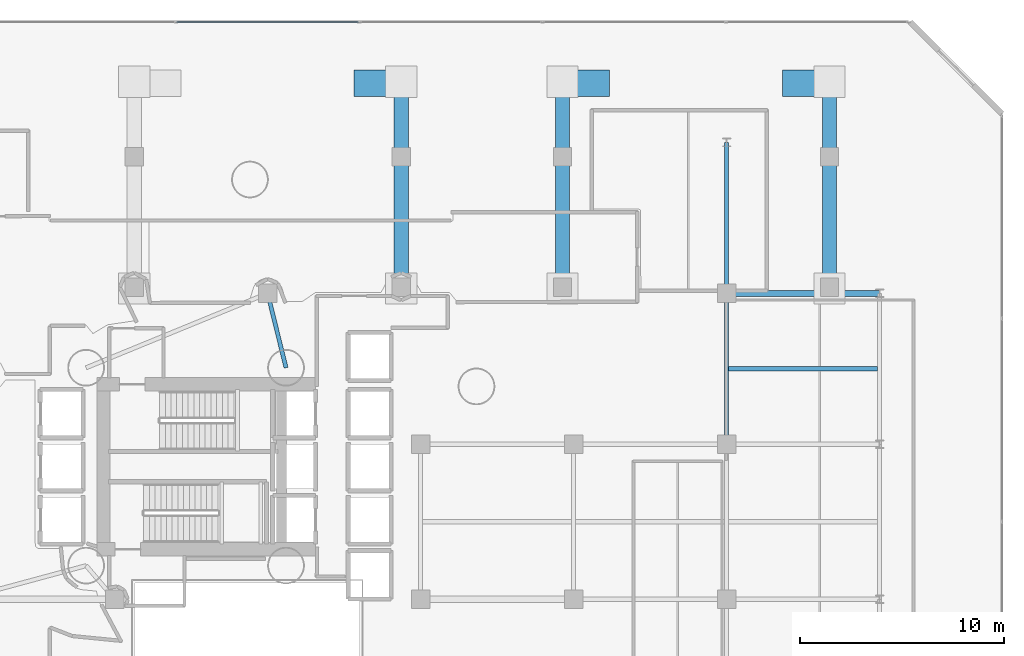
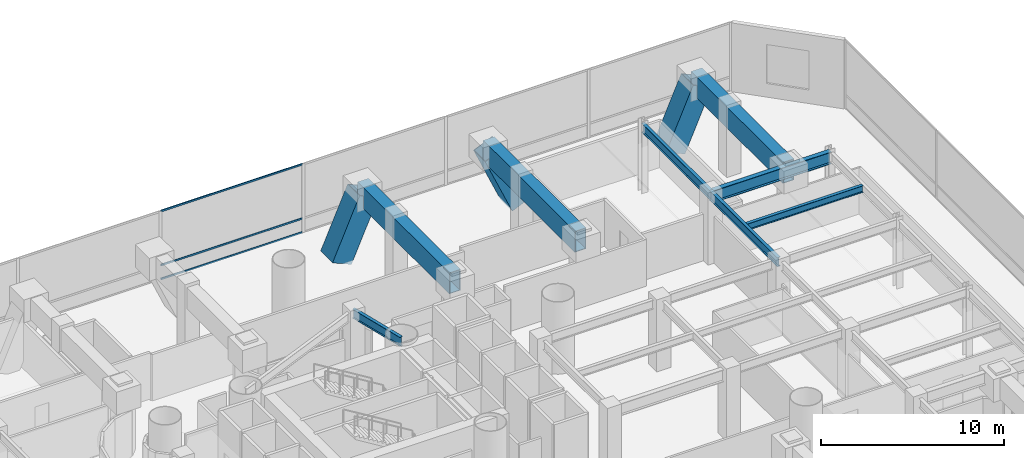
# One storey, part 22 of 45: 8 beams, 6 members, 1 element without a shape of its own.
"""IFC4 building model written with IfcOpenShell, lengths in metres."""

from ifc_helpers import new_model, si_unit, direction, frame, origin, origin_2d, place, context, subcontext, project, spatial, hollow_rectangle, i_section, extrude, material, layer, layer_set, material_profile, profile_set, type_object, element, aggregate, save


model = new_model("IFC4")

# Units and contexts
model_context = context("Model", 3, precision=1e-05, world=origin(), true_north=direction((0.0, 1.0)))
body_context = subcontext(model_context, "Body", "Model", "MODEL_VIEW")
ifc_project = project(units=[si_unit("LENGTHUNIT", "METRE"), si_unit("AREAUNIT", "SQUARE_METRE"), si_unit("VOLUMEUNIT", "CUBIC_METRE"), si_unit("PLANEANGLEUNIT", "RADIAN"), si_unit("MASSUNIT", "GRAM", prefix="KILO")], contexts=[model_context])

# Site, building, storey
site_placement = place(None, origin())
site = spatial("IfcSite", under=ifc_project, at=site_placement, CompositionType="ELEMENT")
building_placement = place(site_placement, origin())
building = spatial("IfcBuilding", under=site, at=building_placement, Name="Qianvela Tower", CompositionType="ELEMENT")
storey_placement = place(building_placement, frame((0.0, 0.0, 11.0)))
storey = spatial("IfcBuildingStorey", under=building, at=storey_placement, Name="L02", CompositionType="ELEMENT", Elevation=11.0)

# Beams
ifc_material_1 = material(Name="Steel Q355B", Category="steel")
ifc_material_profile_1 = material_profile(ifc_material_1, i_section(OverallWidth=0.199951171875, OverallDepth=0.449951171875, WebThickness=0.009033203125, FlangeThickness=0.013916015625, at=origin_2d()), Name="HN450x200x9x14")
ifc_profile_set_1 = profile_set([ifc_material_profile_1], Name="Steel Q355B")
beam_type_1 = type_object("IfcBeamType", Name="BM-HN450-JOIST", PredefinedType="JOIST", material=ifc_profile_set_1)
beam_1_placement = place(storey_placement, frame((60.095947265625, 33.5, 4.35302734375), z_axis=(1.0, 0.0, 0.0), x_axis=(0.0, 1.0, 0.0)))
element("IfcBeam", 1, at=beam_1_placement, inside=storey, type_object=beam_type_1, Name="L02 Secondary Floor Joist 50", PredefinedType="JOIST", context=body_context, shape_type="SweptSolid", body=[
    extrude(i_section(OverallWidth=0.199951171875, OverallDepth=0.449951171875, WebThickness=0.009033203125, FlangeThickness=0.013916015625, at=origin_2d()), origin(), (0.0, 0.0, 1.0), 7.30810546875),
])
ifc_material_2 = material(Name="Steel Q355B", Category="steel")
ifc_material_profile_2 = material_profile(ifc_material_2, i_section(OverallWidth=0.199951171875, OverallDepth=0.60009765625, WebThickness=0.010986328125, FlangeThickness=0.01708984375, at=origin_2d()), Name="HN600x200x11x17")
ifc_profile_set_2 = profile_set([ifc_material_profile_2], Name="Steel Q355B")
beam_type_2 = type_object("IfcBeamType", Name="BM-HN600-GIRD", PredefinedType="BEAM", material=ifc_profile_set_2)
beam_2_placement = place(storey_placement, frame((60.0, 29.800048828125, 4.278076171875), z_axis=(0.0, 1.0, 0.0), x_axis=(-1.0, 0.0, 0.0)))
element("IfcBeam", 2, at=beam_2_placement, inside=storey, type_object=beam_type_2, Name="L02 North-South Grid Girder 30", PredefinedType="BEAM", context=body_context, shape_type="SweptSolid", body=[
    extrude(i_section(OverallWidth=0.199951171875, OverallDepth=0.60009765625, WebThickness=0.010986328125, FlangeThickness=0.01708984375, at=origin_2d()), origin(), (0.0, 0.0, 1.0), 7.39990234375),
])
beam_3_placement = place(storey_placement, frame((60.0, 37.199951171875, 4.278076171875), z_axis=(0.0, 1.0, 0.0), x_axis=(-1.0, 0.0, 0.0)))
element("IfcBeam", 3, at=beam_3_placement, inside=storey, type_object=beam_type_2, Name="L02 North-South Grid Girder 31", PredefinedType="BEAM", context=body_context, shape_type="SweptSolid", body=[
    extrude(i_section(OverallWidth=0.199951171875, OverallDepth=0.60009765625, WebThickness=0.010986328125, FlangeThickness=0.01708984375, at=origin_2d()), origin(), (0.0, 0.0, 1.0), 7.400146484375),
])
beam_4_placement = place(storey_placement, frame((38.39990234375, 33.550048828125, 4.278076171875), z_axis=(-0.239386436846, 0.970924370821, 0.0), x_axis=(-0.970924370821, -0.239386436846, 0.0)))
element("IfcBeam", 4, at=beam_4_placement, inside=storey, type_object=beam_type_2, Name="L02 Core Tie Girder 39", PredefinedType="BEAM", context=body_context, shape_type="SweptSolid", body=[
    extrude(i_section(OverallWidth=0.199951171875, OverallDepth=0.60009765625, WebThickness=0.010986328125, FlangeThickness=0.01708984375, at=origin_2d()), origin(), (0.0, 0.0, 1.0), 3.75927734375),
])
ifc_material_3 = material(Name="Steel Q355B", Category="steel")
ifc_material_profile_3 = material_profile(ifc_material_3, i_section(OverallWidth=0.300048828125, OverallDepth=0.800048828125, WebThickness=0.013916015625, FlangeThickness=0.02587890625, at=origin_2d()), Name="HN800x300x14x26")
ifc_profile_set_3 = profile_set([ifc_material_profile_3], Name="Steel Q355B")
beam_type_3 = type_object("IfcBeamType", Name="BM-HN800-SPAND", PredefinedType="SPANDREL", material=ifc_profile_set_3)
beam_5_placement = place(storey_placement, frame((60.0, 37.199951171875, 4.177978515625), z_axis=(1.0, 0.0, 0.0), x_axis=(0.0, 1.0, 0.0)))
element("IfcBeam", 5, at=beam_5_placement, inside=storey, type_object=beam_type_3, Name="L02 East-West Grid Girder 15", PredefinedType="SPANDREL", context=body_context, shape_type="SweptSolid", body=[
    extrude(i_section(OverallWidth=0.300048828125, OverallDepth=0.800048828125, WebThickness=0.013916015625, FlangeThickness=0.02587890625, at=origin_2d()), origin(), (0.0, 0.0, 1.0), 7.5),
])
ifc_material_4 = material(Name="Steel Q420GJC", Category="steel")
ifc_material_profile_4 = material_profile(ifc_material_4, hollow_rectangle(XDim=0.699951171875, YDim=1.39990234375, WallThickness=0.0400390625, at=origin_2d()), Name="TG-BOX-1400x700x40")
ifc_profile_set_4 = profile_set([ifc_material_profile_4], Name="Steel Q420GJC")
beam_type_4 = type_object("IfcBeamType", Name="BM-TG-STEP-1400", PredefinedType="BEAM", material=ifc_profile_set_4)
for number, where, z_axis, x_axis, name in (
    (6, (44.044677734375, 37.5, 3.8779296875), (0.0, 1.0, 0.0), (-1.0, 0.0, 0.0), "L02 Concourse V-Cap Transfer Girder VC-N2-R"),
    (7, (51.955322265625, 37.5, 3.8779296875), (0.0, 1.0, 0.0), (-1.0, 0.0, 0.0), "L02 Concourse V-Cap Transfer Girder VC-N3-L"),
    (8, (65.044677734375, 37.5, 3.8779296875), (0.0, 1.0, 0.0), (-1.0, 0.0, 0.0), "L02 Concourse V-Cap Transfer Girder VC-N3-R"),
):
    element("IfcBeam", number, at=place(storey_placement, frame(where, z_axis=z_axis, x_axis=x_axis)), inside=storey, type_object=beam_type_4, Name=name, PredefinedType="BEAM", context=body_context, shape_type="SweptSolid", body=[
        extrude(hollow_rectangle(XDim=0.699951171875, YDim=1.39990234375, WallThickness=0.0400390625, at=origin_2d()), origin(), (0.0, 0.0, 1.0), 10.0),
    ])

# Curtain wall, members
ifc_material_5 = material(Name="Anodised Architectural Aluminium and Low-E Glass", Category="aluminium")
ifc_layer = layer(ifc_material_5, 0.179931640625)
ifc_layer_set = layer_set([ifc_layer], Name="Anodised Architectural Aluminium and Low-E Glass")
curtain_wall_type = type_object("IfcCurtainWallType", Name="CW-COMMONS", PredefinedType="USERDEFINED", material=ifc_layer_set)
curtain_wall_placement = place(storey_placement, origin())
curtain_wall = element("IfcCurtainWall", 9, at=curtain_wall_placement, inside=storey, type_object=curtain_wall_type, Name="L02 CW-COMMONS Curtain Wall 05", ObjectType="CURTAIN_WALL_SYSTEM", PredefinedType="USERDEFINED")
ifc_material_6 = material(Name="Anodised Architectural Aluminium 6063-T6", Category="aluminium")
ifc_material_profile_5 = material_profile(ifc_material_6, hollow_rectangle(XDim=0.06005859375, YDim=0.114990234375, WallThickness=0.00390625, at=origin_2d()), Name="ALU-TRAN-60x115")
ifc_profile_set_5 = profile_set([ifc_material_profile_5], Name="Anodised Architectural Aluminium 6063-T6")
member_type_1 = type_object("IfcMemberType", Name="CW-COMMONS-TRAN", PredefinedType="USERDEFINED", material=ifc_profile_set_5)
member_1_placement = place(storey_placement, frame((41.957763671875, 50.5, 0.030029296875), z_axis=(-1.0, 0.0, 0.0), x_axis=(0.0, -1.0, 0.0)))
member_1 = element("IfcMember", 10, at=member_1_placement, type_object=member_type_1, Name="CW-2 transom 4.1", ObjectType="TRANSOM", PredefinedType="USERDEFINED", context=body_context, shape_type="SweptSolid", body=[
    extrude(hollow_rectangle(XDim=0.06005859375, YDim=0.114990234375, WallThickness=0.00390625, at=origin_2d()), origin(), (0.0, 0.0, 1.0), 8.91552734375),
])
member_2_placement = place(storey_placement, frame((41.957763671875, 50.5, 0.949951171875), z_axis=(-1.0, 0.0, 0.0), x_axis=(0.0, -1.0, 0.0)))
member_2 = element("IfcMember", 11, at=member_2_placement, type_object=member_type_1, Name="CW-2 transom 4.2", ObjectType="TRANSOM", PredefinedType="USERDEFINED", context=body_context, shape_type="SweptSolid", body=[
    extrude(hollow_rectangle(XDim=0.06005859375, YDim=0.114990234375, WallThickness=0.00390625, at=origin_2d()), origin(), (0.0, 0.0, 1.0), 8.91552734375),
])
member_3_placement = place(storey_placement, frame((41.957763671875, 50.5, 4.550048828125), z_axis=(-1.0, 0.0, 0.0), x_axis=(0.0, -1.0, 0.0)))
member_3 = element("IfcMember", 12, at=member_3_placement, type_object=member_type_1, Name="CW-2 transom 4.3", ObjectType="TRANSOM", PredefinedType="USERDEFINED", context=body_context, shape_type="SweptSolid", body=[
    extrude(hollow_rectangle(XDim=0.06005859375, YDim=0.114990234375, WallThickness=0.00390625, at=origin_2d()), origin(), (0.0, 0.0, 1.0), 8.91552734375),
])
aggregate(curtain_wall, [member_1, member_2, member_3])

# Members
ifc_material_7 = material(Name="Steel Q420GJC", Category="steel")
ifc_material_profile_6 = material_profile(ifc_material_7, hollow_rectangle(XDim=1.300048828125, YDim=1.300048828125, WallThickness=0.044921875, at=origin_2d()), Name="VBOX-1300x1300x45")
ifc_profile_set_6 = profile_set([ifc_material_profile_6], Name="Steel Q420GJC")
member_type_2 = type_object("IfcMemberType", Name="MBR-VCOL-1300", PredefinedType="POST", material=ifc_profile_set_6)
for number, where, z_axis, x_axis, name in (
    (13, (42.338623046875, 47.5, 0.0), (0.402692265556, 0.0, 0.915335424455), (0.0, 1.0, 0.0), "L02 Concourse Inclined V-Column VC-N2 Leg R"),
    (14, (53.661376953125, 47.5, 0.0), (-0.402692265556, 0.0, 0.915335424455), (0.0, -1.0, 0.0), "L02 Concourse Inclined V-Column VC-N3 Leg L"),
    (15, (63.338623046875, 47.5, 0.0), (0.402692265556, 0.0, 0.915335424455), (0.0, 1.0, 0.0), "L02 Concourse Inclined V-Column VC-N3 Leg R"),
):
    element("IfcMember", number, at=place(storey_placement, frame(where, z_axis=z_axis, x_axis=x_axis)), inside=storey, type_object=member_type_2, Name=name, PredefinedType="POST", context=body_context, shape_type="SweptSolid", body=[
        extrude(hollow_rectangle(XDim=1.300048828125, YDim=1.300048828125, WallThickness=0.044921875, at=origin_2d()), origin(), (0.0, 0.0, 1.0), 4.236572265625),
    ])

save(model, "model.ifc")
